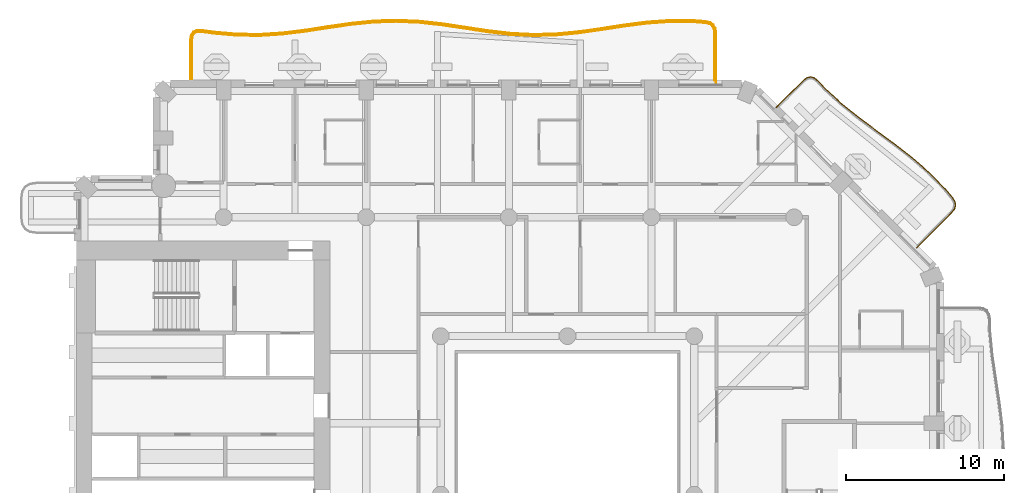
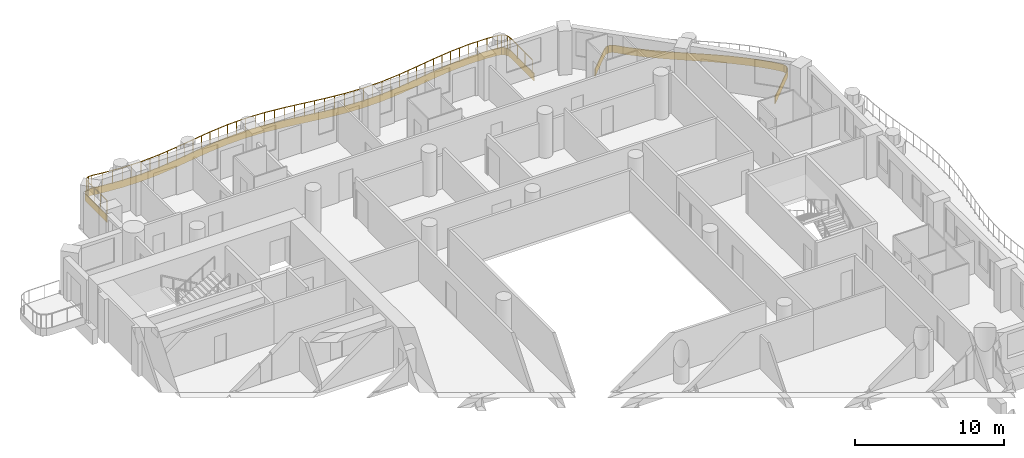
# One storey, part 17 of 19: 2 coverings, 1 railing.
"""IFC4 building model written with IfcOpenShell, lengths in metres."""

import ifcopenshell
import ifcopenshell.guid

model = None  # the IFC model being written
_history = None  # IfcOwnerHistory: only IFC2X3 demands one
_inside = {}  # id of a spatial element -> (the spatial element, [elements in it])
_under = {}  # id of a project, library or spatial element -> (it, [spatial elements below it])
_declared = {}  # id of a project -> (the project, [libraries it declares])
_typed = {}  # id of a type object -> (the type object, [elements of that type])
_made_of = {}  # id of a material, layer set ... -> (it, [elements and type objects made of it])


def new_model(schema):
    """Start an empty IFC model of exactly this schema.

    Asked for "IFC4X3", IfcOpenShell would pick the latest addendum, in which some entities
    have other attributes; the version numbers below select the first issue.
    IFC2X3 requires an IfcOwnerHistory on every rooted entity: one is made here for all.
    """
    global model, _history
    if schema == "IFC4X3":
        model = ifcopenshell.file(schema_version=(4, 3, 0, 0))
    else:
        model = ifcopenshell.file(schema=schema)
    _inside.clear()
    _under.clear()
    _declared.clear()
    _typed.clear()
    _made_of.clear()
    _history = None
    if model.schema == "IFC2X3":
        org = make("IfcOrganization", Name="unknown")
        user = make(
            "IfcPersonAndOrganization",
            ThePerson=make("IfcPerson", FamilyName="unknown"),
            TheOrganization=org,
        )
        app = make(
            "IfcApplication",
            ApplicationDeveloper=org,
            Version="unknown",
            ApplicationFullName="unknown",
            ApplicationIdentifier="unknown",
        )
        _history = make(
            "IfcOwnerHistory",
            OwningUser=user,
            OwningApplication=app,
            ChangeAction="ADDED",
            CreationDate=0,
        )
    return model


def make(cls, **values):
    """One entity of the class cls with the attributes given. An attribute that is None is left unset."""
    return model.create_entity(
        cls, **{name: value for name, value in values.items() if value is not None}
    )


def rooted(cls, **values):
    """An entity with a GlobalId (a new one), such as an element, a storey or a relation."""
    return make(cls, GlobalId=ifcopenshell.guid.new(), OwnerHistory=_history, **values)


def si_unit(unit_type, name, prefix=None):
    """IfcSIUnit, for example si_unit("LENGTHUNIT", "METRE", prefix="MILLI")."""
    return make("IfcSIUnit", UnitType=unit_type, Prefix=prefix, Name=name)


def assignment(units):
    """IfcUnitAssignment: the units of a project."""
    return None if units is None else make("IfcUnitAssignment", Units=units)


def point(xyz):
    """IfcCartesianPoint."""
    return None if xyz is None else make("IfcCartesianPoint", Coordinates=xyz)


def direction(xyz):
    """IfcDirection."""
    return None if xyz is None else make("IfcDirection", DirectionRatios=xyz)


def frame(location, z_axis=None, x_axis=None):
    """IfcAxis2Placement3D, a coordinate frame: its origin and axes. An axis left out is left unset."""
    return make(
        "IfcAxis2Placement3D",
        Location=point(location),
        Axis=direction(z_axis),
        RefDirection=direction(x_axis),
    )


def frame_2d(location, x_axis=None):
    """IfcAxis2Placement2D, a coordinate frame in the plane: its origin and x axis."""
    return make(
        "IfcAxis2Placement2D", Location=point(location), RefDirection=direction(x_axis)
    )


def origin():
    """The frame at (0, 0, 0) with its axes left unset."""
    return frame((0.0, 0.0, 0.0))


def origin_2d():
    """The frame at (0, 0) in the plane with its x axis left unset."""
    return frame_2d((0.0, 0.0))


def place(relative_to, where):
    """IfcLocalPlacement: puts the frame where relative to a parent placement (None: the world)."""
    return make(
        "IfcLocalPlacement", PlacementRelTo=relative_to, RelativePlacement=where
    )


def context(
    kind, dimensions, precision=None, world=None, true_north=None, identifier=None
):
    """IfcGeometricRepresentationContext, for example the 3D "Model" context."""
    return make(
        "IfcGeometricRepresentationContext",
        ContextIdentifier=identifier,
        ContextType=kind,
        CoordinateSpaceDimension=dimensions,
        Precision=precision,
        WorldCoordinateSystem=world,
        TrueNorth=true_north,
    )


def subcontext(parent, identifier, kind, view, scale=None):
    """IfcGeometricRepresentationSubContext, for example "Body" below "Model"."""
    return make(
        "IfcGeometricRepresentationSubContext",
        ContextIdentifier=identifier,
        ContextType=kind,
        ParentContext=parent,
        TargetScale=scale,
        TargetView=view,
    )


def project(units=None, contexts=None):
    """IfcProject with its units and contexts."""
    return rooted(
        "IfcProject",
        Name="project",
        RepresentationContexts=contexts,
        UnitsInContext=assignment(units),
    )


def spatial(cls, under=None, at=None, **own):
    """A site, building, storey or space (cls), placed at a placement, below another one or the project."""
    s = rooted(cls, ObjectPlacement=at, **own)
    if under is not None:
        _under.setdefault(under.id(), (under, []))[1].append(s)
    return s


def polyline(points):
    """IfcPolyline through the points."""
    return make("IfcPolyline", Points=[point(p) for p in points])


def profile(cls, at=None, kind="AREA", **sizes):
    """A parametric profile (cls). Its sizes go by their IFC names, for example OverallWidth=200.0."""
    return make(cls, ProfileType=kind, Position=at, **sizes)


def rectangle(**sizes):
    """IfcRectangleProfileDef."""
    return profile("IfcRectangleProfileDef", **sizes)


def outline(outer, holes=None, kind="AREA"):
    """IfcArbitraryClosedProfileDef: a profile drawn as a closed curve; with holes, ...WithVoids."""
    if holes is None:
        return make("IfcArbitraryClosedProfileDef", ProfileType=kind, OuterCurve=outer)
    return make(
        "IfcArbitraryProfileDefWithVoids",
        ProfileType=kind,
        OuterCurve=outer,
        InnerCurves=holes,
    )


def extrude(swept, where, along, depth):
    """IfcExtrudedAreaSolid: the profile swept, set in the frame where, extruded along a direction by depth."""
    return make(
        "IfcExtrudedAreaSolid",
        SweptArea=swept,
        Position=where,
        ExtrudedDirection=direction(along),
        Depth=depth,
    )


def shape(context_of_items, identifier, shape_type, items):
    """IfcShapeRepresentation: the items that make up one representation, for example the "Body"."""
    return make(
        "IfcShapeRepresentation",
        ContextOfItems=context_of_items,
        RepresentationIdentifier=identifier,
        RepresentationType=shape_type,
        Items=items,
    )


def material(Name=None, Category=None):
    """IfcMaterial."""
    return make("IfcMaterial", Name=Name, Category=Category)


def layer(
    of_material, thickness, ventilated=None, Name=None, Category=None, Priority=None
):
    """IfcMaterialLayer: one layer of a wall or slab, of a material (None: an air gap)."""
    return make(
        "IfcMaterialLayer",
        Material=of_material,
        LayerThickness=thickness,
        IsVentilated=ventilated,
        Name=Name,
        Category=Category,
        Priority=Priority,
    )


def layer_set(layers, Name=None):
    """IfcMaterialLayerSet."""
    return make("IfcMaterialLayerSet", MaterialLayers=layers, LayerSetName=Name)


def made_of(thing, what):
    """Note that an element or type object is made of a material, layer set ...; save() writes the relation."""
    if what is not None:
        _made_of.setdefault(what.id(), (what, []))[1].append(thing)
    return thing


def type_object(cls, material=None, **own):
    """A type object (cls), such as IfcWallType, which elements share."""
    return made_of(rooted(cls, **own), material)


def element(
    cls,
    number,
    at=None,
    inside=None,
    cuts=None,
    type_object=None,
    material=None,
    context=None,
    identifier="Body",
    shape_type=None,
    held_by="IfcProductDefinitionShape",
    body=None,
    shapes=None,
    **own,
):
    """One element of the class cls, such as IfcWall. Its Tag is "e" and its number.

    at: its placement. inside: the storey or other place that contains it. cuts: it is an
    opening in that element (IfcRelVoidsElement). A single representation is given by context,
    identifier, shape_type and body (its items); several are given by shapes. held_by: the class
    of the entity that holds the representations. save() writes the other relations.
    """
    e = rooted(cls, Tag="e%d" % number, ObjectPlacement=at, **own)
    if body is not None:
        shapes = [shape(context, identifier, shape_type, body)]
    if shapes is not None:
        e.Representation = make(held_by, Representations=shapes)
    if inside is not None:
        _inside.setdefault(inside.id(), (inside, []))[1].append(e)
    if cuts is not None:
        rooted(
            "IfcRelVoidsElement", RelatingBuildingElement=cuts, RelatedOpeningElement=e
        )
    if type_object is not None:
        _typed.setdefault(type_object.id(), (type_object, []))[1].append(e)
    return made_of(e, material)


def aggregate(whole, parts):
    """IfcRelAggregates: a whole, such as a stair, and the parts it consists of."""
    return rooted("IfcRelAggregates", RelatingObject=whole, RelatedObjects=parts)


def save(model, path):
    """Write the relations noted so far, then the file.

    IfcRelAggregates (storeys below a building ...), IfcRelContainedInSpatialStructure (elements
    in a storey), IfcRelDefinesByType, IfcRelAssociatesMaterial and IfcRelDeclares: one each for
    every whole, place, type object, material and project.
    """
    for whole, parts in _under.values():
        aggregate(whole, parts)
    for where, things in _inside.values():
        rooted(
            "IfcRelContainedInSpatialStructure",
            RelatedElements=things,
            RelatingStructure=where,
        )
    for kind, things in _typed.values():
        rooted("IfcRelDefinesByType", RelatedObjects=things, RelatingType=kind)
    for what, things in _made_of.values():
        rooted("IfcRelAssociatesMaterial", RelatedObjects=things, RelatingMaterial=what)
    for by, libraries in _declared.values():
        rooted("IfcRelDeclares", RelatingContext=by, RelatedDefinitions=libraries)
    model.write(path)


model = new_model("IFC4")

# Units and contexts
model_context = context("Model", 3, precision=1e-05, world=origin(), true_north=direction((0.0, 1.0)))
body_context = subcontext(model_context, "Body", "Model", "MODEL_VIEW")
ifc_project = project(units=[si_unit("LENGTHUNIT", "METRE"), si_unit("AREAUNIT", "SQUARE_METRE"), si_unit("VOLUMEUNIT", "CUBIC_METRE"), si_unit("PLANEANGLEUNIT", "RADIAN"), si_unit("MASSUNIT", "GRAM", prefix="KILO")], contexts=[model_context])

# Site, building, storey
site_placement = place(None, origin())
site = spatial("IfcSite", under=ifc_project, at=site_placement, CompositionType="ELEMENT")
building_placement = place(site_placement, origin())
building = spatial("IfcBuilding", under=site, at=building_placement, Name="Cypress Arch Tower", CompositionType="ELEMENT")
storey_placement = place(building_placement, frame((0.0, 0.0, 138.300048828125)))
storey = spatial("IfcBuildingStorey", under=building, at=storey_placement, Name="L30", CompositionType="ELEMENT", Elevation=138.300048828125)

# Coverings
ifc_material_1 = material(Name="White powder-coated aluminium fascia", Category="aluminium")
ifc_layer = layer(ifc_material_1, 0.050048828125)
ifc_layer_set = layer_set([ifc_layer], Name="Balcony fascia BF50")
covering_type = type_object("IfcCoveringType", Name="Balcony fascia BF50", PredefinedType="CLADDING", material=ifc_layer_set)
covering_1_placement = place(storey_placement, frame((0.0, 0.0, -0.60009765625)))
element("IfcCovering", 1, at=covering_1_placement, inside=storey, type_object=covering_type, Name="Balcony fascia L30-A07", PredefinedType="CLADDING", context=body_context, shape_type="SweptSolid", body=[
    extrude(outline(polyline([(15.866943359375, 26.155517578125), (16.09765625, 26.32861328125), (16.33837890625, 26.38671875), (16.5771484375, 26.32177734375), (16.802978515625, 26.142333984375), (17.32763671875, 25.586669921875), (18.349853515625, 24.654296875), (19.435302734375, 23.78369140625), (20.5595703125, 22.949951171875), (21.689697265625, 22.11962890625), (22.79150390625, 21.258544921875), (23.83642578125, 20.33935546875), (24.8095703125, 19.347900390625), (25.308349609375, 18.76171875), (25.465087890625, 18.514404296875), (25.512939453125, 18.261962890625), (25.445068359375, 18.01416015625), (25.26904296875, 17.7802734375), (23.045166015625, 15.556396484375), (23.009765625, 15.591796875), (25.231201171875, 17.813232421875), (25.3994140625, 18.036376953125), (25.461669921875, 18.263916015625), (25.417724609375, 18.495849609375), (25.26806640625, 18.73193359375), (24.7724609375, 19.314208984375), (23.802001953125, 20.302978515625), (22.759521484375, 21.22021484375), (21.65966796875, 22.079833984375), (20.52978515625, 22.90966796875), (19.404541015625, 23.743896484375), (18.3173828125, 24.6162109375), (17.292724609375, 25.551025390625), (16.76904296875, 26.105224609375), (16.55419921875, 26.276123046875), (16.337646484375, 26.335205078125), (16.119384765625, 26.2822265625), (15.899658203125, 26.11767578125), (14.191650390625, 24.40966796875), (14.15625, 24.445068359375), (15.866943359375, 26.155517578125)])), origin(), (0.0, 0.0, 1.0), 0.60009765625),
])
covering_2_placement = place(storey_placement, frame((0.0, 0.0, -0.60009765625)))
element("IfcCovering", 2, at=covering_2_placement, inside=storey, type_object=covering_type, Name="Balcony fascia L30-A08", PredefinedType="CLADDING", context=body_context, shape_type="SweptSolid", body=[
    extrude(outline(polyline([(-22.800048828125, 28.69873046875), (-22.757568359375, 28.993408203125), (-22.622314453125, 29.2021484375), (-22.39697265625, 29.3076171875), (-22.09912109375, 29.309326171875), (-21.30517578125, 29.199951171875), (-19.869140625, 29.07568359375), (-18.433837890625, 29.055908203125), (-16.998046875, 29.145751953125), (-15.561279296875, 29.322998046875), (-14.12255859375, 29.544189453125), (-12.68212890625, 29.75439453125), (-11.240234375, 29.90185546875), (-9.797607421875, 29.94970703125), (-8.354736328125, 29.88623046875), (-6.9130859375, 29.727294921875), (-5.472900390625, 29.511962890625), (-4.03466796875, 29.2939453125), (-2.597900390625, 29.126953125), (-1.162353515625, 29.052001953125), (0.273193359375, 29.08740234375), (1.709228515625, 29.224609375), (3.14697265625, 29.4296875), (4.58642578125, 29.65234375), (6.027587890625, 29.837646484375), (7.47021484375, 29.939208984375), (8.9130859375, 29.93212890625), (9.709716796875, 29.869140625), (10.005859375, 29.80322265625), (10.225830078125, 29.6533203125), (10.357666015625, 29.42236328125), (10.39990234375, 29.1220703125), (10.39990234375, 26.0009765625), (10.35009765625, 26.0009765625), (10.35009765625, 29.11865234375), (10.3095703125, 29.406005859375), (10.18798828125, 29.61865234375), (9.98583984375, 29.75634765625), (9.702392578125, 29.8193359375), (8.910888671875, 29.882080078125), (7.4716796875, 29.88916015625), (6.03271484375, 29.787841796875), (4.593505859375, 29.60302734375), (3.154296875, 29.38037109375), (1.71533203125, 29.1748046875), (0.276123046875, 29.037353515625), (-1.1630859375, 29.001953125), (-2.602294921875, 29.0771484375), (-4.041259765625, 29.244384765625), (-5.48046875, 29.462646484375), (-6.919677734375, 29.677734375), (-8.358642578125, 29.83642578125), (-9.7978515625, 29.899658203125), (-11.237060546875, 29.851806640625), (-12.676025390625, 29.704833984375), (-14.115234375, 29.49462890625), (-15.554443359375, 29.2734375), (-16.993408203125, 29.095947265625), (-18.4326171875, 29.005859375), (-19.871826171875, 29.025634765625), (-21.310791015625, 29.150146484375), (-22.102294921875, 29.25927734375), (-22.3857421875, 29.257568359375), (-22.588134765625, 29.1630859375), (-22.70947265625, 28.975341796875), (-22.75, 28.695068359375), (-22.75, 26.0009765625), (-22.800048828125, 26.0009765625), (-22.800048828125, 28.69873046875)])), origin(), (0.0, 0.0, 1.0), 0.60009765625),
])

# Railing
ifc_material_2 = material(Name="Powder-coated steel posts and rods, 100 mm clear between rods", Category="steel")
railing_type = type_object("IfcRailingType", Name="Balcony guard GR1100", PredefinedType="GUARDRAIL", material=ifc_material_2)
railing_placement = place(storey_placement, frame((-22.699951171875, 26.14990234375, 0.0)))
element("IfcRailing", 3, at=railing_placement, inside=storey, type_object=railing_type, Name="Balcony guard L30-A08", PredefinedType="GUARDRAIL", context=body_context, shape_type="SweptSolid", body=[
    extrude(rectangle(XDim=0.050048828125, YDim=0.050048828125, at=origin_2d()), frame((0.0, 0.0, 1.0751953125), z_axis=(0.0, 1.0, 0.0), x_axis=(-1.0, 0.0, 0.0)), (0.0, 0.0, 1.0), 2.54150390625),
    extrude(rectangle(XDim=0.050048828125, YDim=0.050048828125, at=origin_2d()), frame((0.0, 2.54150390625, 1.0751953125), z_axis=(0.14256541736, 0.989785381673, 0.0), x_axis=(-0.989785381673, 0.14256541736, 0.0)), (0.0, 0.0, 1.0), 0.268798828125),
    extrude(rectangle(XDim=0.050048828125, YDim=0.050048828125, at=origin_2d()), frame((0.038330078125, 2.8076171875, 1.0751953125), z_axis=(0.543557878192, 0.839371689453, 0.0), x_axis=(-0.839371689453, 0.543557878192, 0.0)), (0.0, 0.0, 1.0), 0.197998046875),
    extrude(rectangle(XDim=0.050048828125, YDim=0.050048828125, at=origin_2d()), frame((0.14599609375, 2.973876953125, 1.0751953125), z_axis=(0.905710358993, 0.423897093188, 0.0), x_axis=(-0.423897093188, 0.905710358993, 0.0)), (0.0, 0.0, 1.0), 0.1982421875),
    extrude(rectangle(XDim=0.050048828125, YDim=0.050048828125, at=origin_2d()), frame((0.325439453125, 3.057861328125, 1.0751953125), z_axis=(0.999979789443, 0.006357727998, 0.0), x_axis=(-0.006357727998, 0.999979789443, 0.0)), (0.0, 0.0, 1.0), 0.268798828125),
    extrude(rectangle(XDim=0.050048828125, YDim=0.050048828125, at=origin_2d()), frame((0.59423828125, 3.0595703125, 1.0751953125), z_axis=(0.990576744493, -0.136958801357, 0.0), x_axis=(0.136958801357, 0.990576744493, 0.0)), (0.0, 0.0, 1.0), 0.796875),
    extrude(rectangle(XDim=0.050048828125, YDim=0.050048828125, at=origin_2d()), frame((1.383544921875, 2.950439453125, 1.0751953125), z_axis=(0.99627909455, -0.086185647082, 0.0), x_axis=(0.086185647082, 0.99627909455, 0.0)), (0.0, 0.0, 1.0), 1.447509765625),
    extrude(rectangle(XDim=0.050048828125, YDim=0.050048828125, at=origin_2d()), frame((2.82568359375, 2.82568359375, 1.0751953125), z_axis=(0.99990839581, -0.01353513903, 0.0), x_axis=(0.01353513903, 0.99990839581, 0.0)), (0.0, 0.0, 1.0), 1.443115234375),
    extrude(rectangle(XDim=0.050048828125, YDim=0.050048828125, at=origin_2d()), frame((4.2685546875, 2.80615234375, 1.0751953125), z_axis=(0.998055863175, 0.062325708836, 0.0), x_axis=(-0.062325708836, 0.998055863175, 0.0)), (0.0, 0.0, 1.0), 1.445556640625),
    extrude(rectangle(XDim=0.050048828125, YDim=0.050048828125, at=origin_2d()), frame((5.711181640625, 2.896240234375, 1.0751953125), z_axis=(0.992460436733, 0.12256541731, 0.0), x_axis=(-0.12256541731, 0.992460436733, 0.0)), (0.0, 0.0, 1.0), 1.4521484375),
    extrude(rectangle(XDim=0.050048828125, YDim=0.050048828125, at=origin_2d()), frame((7.15234375, 3.07421875, 1.0751953125), z_axis=(0.988402680316, 0.151855660228, 0.0), x_axis=(-0.151855660228, 0.988402680316, 0.0)), (0.0, 0.0, 1.0), 1.45654296875),
    extrude(rectangle(XDim=0.050048828125, YDim=0.050048828125, at=origin_2d()), frame((8.592041015625, 3.29541015625, 1.0751953125), z_axis=(0.989531981452, 0.14431374738, 0.0), x_axis=(-0.14431374738, 0.989531981452, 0.0)), (0.0, 0.0, 1.0), 1.453125),
    extrude(rectangle(XDim=0.050048828125, YDim=0.050048828125, at=origin_2d()), frame((10.030029296875, 3.505126953125, 1.0751953125), z_axis=(0.994805175602, 0.101797163983, 0.0), x_axis=(-0.101797163983, 0.994805175602, 0.0)), (0.0, 0.0, 1.0), 1.44384765625),
    extrude(rectangle(XDim=0.050048828125, YDim=0.050048828125, at=origin_2d()), frame((11.46630859375, 3.652099609375, 1.0751953125), z_axis=(0.999450552089, 0.033145043819, 0.0), x_axis=(-0.033145043819, 0.999450552089, 0.0)), (0.0, 0.0, 1.0), 1.436279296875),
    extrude(rectangle(XDim=0.050048828125, YDim=0.050048828125, at=origin_2d()), frame((12.90185546875, 3.69970703125, 1.0751953125), z_axis=(0.999038767987, -0.043835374514, 0.0), x_axis=(0.043835374514, 0.999038767987, 0.0)), (0.0, 0.0, 1.0), 1.43701171875),
    extrude(rectangle(XDim=0.050048828125, YDim=0.050048828125, at=origin_2d()), frame((14.33740234375, 3.63671875, 1.0751953125), z_axis=(0.993971999072, -0.109634233072, 0.0), x_axis=(0.109634233072, 0.993971999072, 0.0)), (0.0, 0.0, 1.0), 1.4453125),
    extrude(rectangle(XDim=0.050048828125, YDim=0.050048828125, at=origin_2d()), frame((15.77392578125, 3.478271484375, 1.0751953125), z_axis=(0.989001522365, -0.147905337159, 0.0), x_axis=(0.147905337159, 0.989001522365, 0.0)), (0.0, 0.0, 1.0), 1.454345703125),
    extrude(rectangle(XDim=0.050048828125, YDim=0.050048828125, at=origin_2d()), frame((17.212158203125, 3.26318359375, 1.0751953125), z_axis=(0.988706473657, -0.149864969049, 0.0), x_axis=(0.149864969049, 0.988706473657, 0.0)), (0.0, 0.0, 1.0), 1.456298828125),
    extrude(rectangle(XDim=0.050048828125, YDim=0.050048828125, at=origin_2d()), frame((18.652099609375, 3.044921875, 1.0751953125), z_axis=(0.993317252299, -0.11541592735, 0.0), x_axis=(0.11541592735, 0.993317252299, 0.0)), (0.0, 0.0, 1.0), 1.451171875),
    extrude(rectangle(XDim=0.050048828125, YDim=0.050048828125, at=origin_2d()), frame((20.093505859375, 2.87744140625, 1.0751953125), z_axis=(0.998635513035, -0.052221758932, 0.0), x_axis=(0.052221758932, 0.998635513035, 0.0)), (0.0, 0.0, 1.0), 1.444580078125),
    extrude(rectangle(XDim=0.050048828125, YDim=0.050048828125, at=origin_2d()), frame((21.5361328125, 2.802001953125, 1.0751953125), z_axis=(0.999694998463, 0.024696356984, 0.0), x_axis=(-0.024696356984, 0.999694998463, 0.0)), (0.0, 0.0, 1.0), 1.443359375),
    extrude(rectangle(XDim=0.050048828125, YDim=0.050048828125, at=origin_2d()), frame((22.97900390625, 2.837646484375, 1.0751953125), z_axis=(0.995472721634, 0.095047674793, 0.0), x_axis=(-0.095047674793, 0.995472721634, 0.0)), (0.0, 0.0, 1.0), 1.44873046875),
    extrude(rectangle(XDim=0.050048828125, YDim=0.050048828125, at=origin_2d()), frame((24.421142578125, 2.975341796875, 1.0751953125), z_axis=(0.989969618603, 0.141280409977, 0.0), x_axis=(-0.141280409977, 0.989969618603, 0.0)), (0.0, 0.0, 1.0), 1.455078125),
    extrude(rectangle(XDim=0.050048828125, YDim=0.050048828125, at=origin_2d()), frame((25.861572265625, 3.180908203125, 1.0751953125), z_axis=(0.988239517368, 0.15291388528, 0.0), x_axis=(-0.15291388528, 0.988239517368, 0.0)), (0.0, 0.0, 1.0), 1.4560546875),
    extrude(rectangle(XDim=0.050048828125, YDim=0.050048828125, at=origin_2d()), frame((27.300537109375, 3.403564453125, 1.0751953125), z_axis=(0.991852208753, 0.127393861675, 0.0), x_axis=(-0.127393861675, 0.991852208753, 0.0)), (0.0, 0.0, 1.0), 1.44873046875),
    extrude(rectangle(XDim=0.050048828125, YDim=0.050048828125, at=origin_2d()), frame((28.737548828125, 3.588134765625, 1.0751953125), z_axis=(0.997531359598, 0.070222408242, 0.0), x_axis=(-0.070222408242, 0.997531359598, 0.0)), (0.0, 0.0, 1.0), 1.439453125),
    extrude(rectangle(XDim=0.050048828125, YDim=0.050048828125, at=origin_2d()), frame((30.17333984375, 3.689208984375, 1.0751953125), z_axis=(0.999987833906, -0.00493275169, 0.0), x_axis=(0.00493275169, 0.999987833906, 0.0)), (0.0, 0.0, 1.0), 1.435302734375),
    extrude(rectangle(XDim=0.050048828125, YDim=0.050048828125, at=origin_2d()), frame((31.608642578125, 3.68212890625, 1.0751953125), z_axis=(0.996880871408, -0.078921025212, 0.0), x_axis=(0.078921025212, 0.996880871408, 0.0)), (0.0, 0.0, 1.0), 0.788818359375),
    extrude(rectangle(XDim=0.050048828125, YDim=0.050048828125, at=origin_2d()), frame((32.39501953125, 3.619873046875, 1.0751953125), z_axis=(0.976228504596, -0.216743873764, 0.0), x_axis=(0.216743873764, 0.976228504596, 0.0)), (0.0, 0.0, 1.0), 0.277099609375),
    extrude(rectangle(XDim=0.050048828125, YDim=0.050048828125, at=origin_2d()), frame((32.66552734375, 3.559814453125, 1.0751953125), z_axis=(0.826296616319, -0.563235210067, 0.0), x_axis=(0.563235210067, 0.826296616319, 0.0)), (0.0, 0.0, 1.0), 0.2236328125),
    extrude(rectangle(XDim=0.050048828125, YDim=0.050048828125, at=origin_2d()), frame((32.850341796875, 3.433837890625, 1.0751953125), z_axis=(0.495433650604, -0.868645783878, 0.0), x_axis=(0.868645783878, 0.495433650604, 0.0)), (0.0, 0.0, 1.0), 0.2236328125),
    extrude(rectangle(XDim=0.050048828125, YDim=0.050048828125, at=origin_2d()), frame((32.961181640625, 3.239501953125, 1.0751953125), z_axis=(0.1400646227, -0.990142364243, 0.0), x_axis=(0.990142364243, 0.1400646227, 0.0)), (0.0, 0.0, 1.0), 0.277099609375),
    extrude(rectangle(XDim=0.050048828125, YDim=0.050048828125, at=origin_2d()), frame((33.0, 2.965087890625, 1.0751953125), z_axis=(0.0, -1.0, 0.0), x_axis=(1.0, 0.0, 0.0)), (0.0, 0.0, 1.0), 2.965087890625),
    extrude(rectangle(XDim=0.0400390625, YDim=0.0400390625, at=origin_2d()), origin(), (0.0, 0.0, 1.0), 1.050048828125),
    extrude(rectangle(XDim=0.0400390625, YDim=0.0400390625, at=origin_2d()), frame((0.0, 0.84716796875, 0.0)), (0.0, 0.0, 1.0), 1.050048828125),
    extrude(rectangle(XDim=0.0400390625, YDim=0.0400390625, at=origin_2d()), frame((0.0, 1.6943359375, 0.0)), (0.0, 0.0, 1.0), 1.050048828125),
    extrude(rectangle(XDim=0.0400390625, YDim=0.0400390625, at=origin_2d()), frame((0.0, 2.54150390625, 0.0)), (0.0, 0.0, 1.0), 1.050048828125),
    extrude(rectangle(XDim=0.0400390625, YDim=0.0400390625, at=origin_2d()), frame((0.038330078125, 2.8076171875, 0.0)), (0.0, 0.0, 1.0), 1.050048828125),
    extrude(rectangle(XDim=0.0400390625, YDim=0.0400390625, at=origin_2d()), frame((0.14599609375, 2.973876953125, 0.0)), (0.0, 0.0, 1.0), 1.050048828125),
    extrude(rectangle(XDim=0.0400390625, YDim=0.0400390625, at=origin_2d()), frame((0.325439453125, 3.057861328125, 0.0)), (0.0, 0.0, 1.0), 1.050048828125),
    extrude(rectangle(XDim=0.0400390625, YDim=0.0400390625, at=origin_2d()), frame((0.59423828125, 3.0595703125, 0.0)), (0.0, 0.0, 1.0), 1.050048828125),
    extrude(rectangle(XDim=0.0400390625, YDim=0.0400390625, at=origin_2d()), frame((1.383544921875, 2.950439453125, 0.0)), (0.0, 0.0, 1.0), 1.050048828125),
    extrude(rectangle(XDim=0.0400390625, YDim=0.0400390625, at=origin_2d()), frame((2.1044921875, 2.88818359375, 0.0)), (0.0, 0.0, 1.0), 1.050048828125),
    extrude(rectangle(XDim=0.0400390625, YDim=0.0400390625, at=origin_2d()), frame((2.82568359375, 2.82568359375, 0.0)), (0.0, 0.0, 1.0), 1.050048828125),
    extrude(rectangle(XDim=0.0400390625, YDim=0.0400390625, at=origin_2d()), frame((3.547119140625, 2.81591796875, 0.0)), (0.0, 0.0, 1.0), 1.050048828125),
    extrude(rectangle(XDim=0.0400390625, YDim=0.0400390625, at=origin_2d()), frame((4.2685546875, 2.80615234375, 0.0)), (0.0, 0.0, 1.0), 1.050048828125),
    extrude(rectangle(XDim=0.0400390625, YDim=0.0400390625, at=origin_2d()), frame((4.98974609375, 2.85107421875, 0.0)), (0.0, 0.0, 1.0), 1.050048828125),
    extrude(rectangle(XDim=0.0400390625, YDim=0.0400390625, at=origin_2d()), frame((5.711181640625, 2.896240234375, 0.0)), (0.0, 0.0, 1.0), 1.050048828125),
    extrude(rectangle(XDim=0.0400390625, YDim=0.0400390625, at=origin_2d()), frame((6.431640625, 2.9853515625, 0.0)), (0.0, 0.0, 1.0), 1.050048828125),
    extrude(rectangle(XDim=0.0400390625, YDim=0.0400390625, at=origin_2d()), frame((7.15234375, 3.07421875, 0.0)), (0.0, 0.0, 1.0), 1.050048828125),
    extrude(rectangle(XDim=0.0400390625, YDim=0.0400390625, at=origin_2d()), frame((7.8720703125, 3.184814453125, 0.0)), (0.0, 0.0, 1.0), 1.050048828125),
    extrude(rectangle(XDim=0.0400390625, YDim=0.0400390625, at=origin_2d()), frame((8.592041015625, 3.29541015625, 0.0)), (0.0, 0.0, 1.0), 1.050048828125),
    extrude(rectangle(XDim=0.0400390625, YDim=0.0400390625, at=origin_2d()), frame((9.31103515625, 3.400390625, 0.0)), (0.0, 0.0, 1.0), 1.050048828125),
    extrude(rectangle(XDim=0.0400390625, YDim=0.0400390625, at=origin_2d()), frame((10.030029296875, 3.505126953125, 0.0)), (0.0, 0.0, 1.0), 1.050048828125),
    extrude(rectangle(XDim=0.0400390625, YDim=0.0400390625, at=origin_2d()), frame((10.748046875, 3.57861328125, 0.0)), (0.0, 0.0, 1.0), 1.050048828125),
    extrude(rectangle(XDim=0.0400390625, YDim=0.0400390625, at=origin_2d()), frame((11.46630859375, 3.652099609375, 0.0)), (0.0, 0.0, 1.0), 1.050048828125),
    extrude(rectangle(XDim=0.0400390625, YDim=0.0400390625, at=origin_2d()), frame((12.18408203125, 3.67578125, 0.0)), (0.0, 0.0, 1.0), 1.050048828125),
    extrude(rectangle(XDim=0.0400390625, YDim=0.0400390625, at=origin_2d()), frame((12.90185546875, 3.69970703125, 0.0)), (0.0, 0.0, 1.0), 1.050048828125),
    extrude(rectangle(XDim=0.0400390625, YDim=0.0400390625, at=origin_2d()), frame((13.61962890625, 3.668212890625, 0.0)), (0.0, 0.0, 1.0), 1.050048828125),
    extrude(rectangle(XDim=0.0400390625, YDim=0.0400390625, at=origin_2d()), frame((14.33740234375, 3.63671875, 0.0)), (0.0, 0.0, 1.0), 1.050048828125),
    extrude(rectangle(XDim=0.0400390625, YDim=0.0400390625, at=origin_2d()), frame((15.0556640625, 3.5576171875, 0.0)), (0.0, 0.0, 1.0), 1.050048828125),
    extrude(rectangle(XDim=0.0400390625, YDim=0.0400390625, at=origin_2d()), frame((15.77392578125, 3.478271484375, 0.0)), (0.0, 0.0, 1.0), 1.050048828125),
    extrude(rectangle(XDim=0.0400390625, YDim=0.0400390625, at=origin_2d()), frame((16.4931640625, 3.37060546875, 0.0)), (0.0, 0.0, 1.0), 1.050048828125),
    extrude(rectangle(XDim=0.0400390625, YDim=0.0400390625, at=origin_2d()), frame((17.212158203125, 3.26318359375, 0.0)), (0.0, 0.0, 1.0), 1.050048828125),
    extrude(rectangle(XDim=0.0400390625, YDim=0.0400390625, at=origin_2d()), frame((17.93212890625, 3.154052734375, 0.0)), (0.0, 0.0, 1.0), 1.050048828125),
    extrude(rectangle(XDim=0.0400390625, YDim=0.0400390625, at=origin_2d()), frame((18.652099609375, 3.044921875, 0.0)), (0.0, 0.0, 1.0), 1.050048828125),
    extrude(rectangle(XDim=0.0400390625, YDim=0.0400390625, at=origin_2d()), frame((19.372802734375, 2.961181640625, 0.0)), (0.0, 0.0, 1.0), 1.050048828125),
    extrude(rectangle(XDim=0.0400390625, YDim=0.0400390625, at=origin_2d()), frame((20.093505859375, 2.87744140625, 0.0)), (0.0, 0.0, 1.0), 1.050048828125),
    extrude(rectangle(XDim=0.0400390625, YDim=0.0400390625, at=origin_2d()), frame((20.81494140625, 2.83984375, 0.0)), (0.0, 0.0, 1.0), 1.050048828125),
    extrude(rectangle(XDim=0.0400390625, YDim=0.0400390625, at=origin_2d()), frame((21.5361328125, 2.802001953125, 0.0)), (0.0, 0.0, 1.0), 1.050048828125),
    extrude(rectangle(XDim=0.0400390625, YDim=0.0400390625, at=origin_2d()), frame((22.257568359375, 2.81982421875, 0.0)), (0.0, 0.0, 1.0), 1.050048828125),
    extrude(rectangle(XDim=0.0400390625, YDim=0.0400390625, at=origin_2d()), frame((22.97900390625, 2.837646484375, 0.0)), (0.0, 0.0, 1.0), 1.050048828125),
    extrude(rectangle(XDim=0.0400390625, YDim=0.0400390625, at=origin_2d()), frame((23.7001953125, 2.906494140625, 0.0)), (0.0, 0.0, 1.0), 1.050048828125),
    extrude(rectangle(XDim=0.0400390625, YDim=0.0400390625, at=origin_2d()), frame((24.421142578125, 2.975341796875, 0.0)), (0.0, 0.0, 1.0), 1.050048828125),
    extrude(rectangle(XDim=0.0400390625, YDim=0.0400390625, at=origin_2d()), frame((25.141357421875, 3.078125, 0.0)), (0.0, 0.0, 1.0), 1.050048828125),
    extrude(rectangle(XDim=0.0400390625, YDim=0.0400390625, at=origin_2d()), frame((25.861572265625, 3.180908203125, 0.0)), (0.0, 0.0, 1.0), 1.050048828125),
    extrude(rectangle(XDim=0.0400390625, YDim=0.0400390625, at=origin_2d()), frame((26.5810546875, 3.292236328125, 0.0)), (0.0, 0.0, 1.0), 1.050048828125),
    extrude(rectangle(XDim=0.0400390625, YDim=0.0400390625, at=origin_2d()), frame((27.300537109375, 3.403564453125, 0.0)), (0.0, 0.0, 1.0), 1.050048828125),
    extrude(rectangle(XDim=0.0400390625, YDim=0.0400390625, at=origin_2d()), frame((28.01904296875, 3.495849609375, 0.0)), (0.0, 0.0, 1.0), 1.050048828125),
    extrude(rectangle(XDim=0.0400390625, YDim=0.0400390625, at=origin_2d()), frame((28.737548828125, 3.588134765625, 0.0)), (0.0, 0.0, 1.0), 1.050048828125),
    extrude(rectangle(XDim=0.0400390625, YDim=0.0400390625, at=origin_2d()), frame((29.45556640625, 3.638671875, 0.0)), (0.0, 0.0, 1.0), 1.050048828125),
    extrude(rectangle(XDim=0.0400390625, YDim=0.0400390625, at=origin_2d()), frame((30.17333984375, 3.689208984375, 0.0)), (0.0, 0.0, 1.0), 1.050048828125),
    extrude(rectangle(XDim=0.0400390625, YDim=0.0400390625, at=origin_2d()), frame((30.89111328125, 3.685546875, 0.0)), (0.0, 0.0, 1.0), 1.050048828125),
    extrude(rectangle(XDim=0.0400390625, YDim=0.0400390625, at=origin_2d()), frame((31.608642578125, 3.68212890625, 0.0)), (0.0, 0.0, 1.0), 1.050048828125),
    extrude(rectangle(XDim=0.0400390625, YDim=0.0400390625, at=origin_2d()), frame((32.39501953125, 3.619873046875, 0.0)), (0.0, 0.0, 1.0), 1.050048828125),
    extrude(rectangle(XDim=0.0400390625, YDim=0.0400390625, at=origin_2d()), frame((32.66552734375, 3.559814453125, 0.0)), (0.0, 0.0, 1.0), 1.050048828125),
    extrude(rectangle(XDim=0.0400390625, YDim=0.0400390625, at=origin_2d()), frame((32.850341796875, 3.433837890625, 0.0)), (0.0, 0.0, 1.0), 1.050048828125),
    extrude(rectangle(XDim=0.0400390625, YDim=0.0400390625, at=origin_2d()), frame((32.961181640625, 3.239501953125, 0.0)), (0.0, 0.0, 1.0), 1.050048828125),
    extrude(rectangle(XDim=0.0400390625, YDim=0.0400390625, at=origin_2d()), frame((33.0, 2.965087890625, 0.0)), (0.0, 0.0, 1.0), 1.050048828125),
    extrude(rectangle(XDim=0.0400390625, YDim=0.0400390625, at=origin_2d()), frame((33.0, 1.976806640625, 0.0)), (0.0, 0.0, 1.0), 1.050048828125),
    extrude(rectangle(XDim=0.0400390625, YDim=0.0400390625, at=origin_2d()), frame((33.0, 0.98828125, 0.0)), (0.0, 0.0, 1.0), 1.050048828125),
    extrude(rectangle(XDim=0.0400390625, YDim=0.0400390625, at=origin_2d()), frame((33.0, 0.0, 0.0)), (0.0, 0.0, 1.0), 1.050048828125),
])

save(model, "model.ifc")
